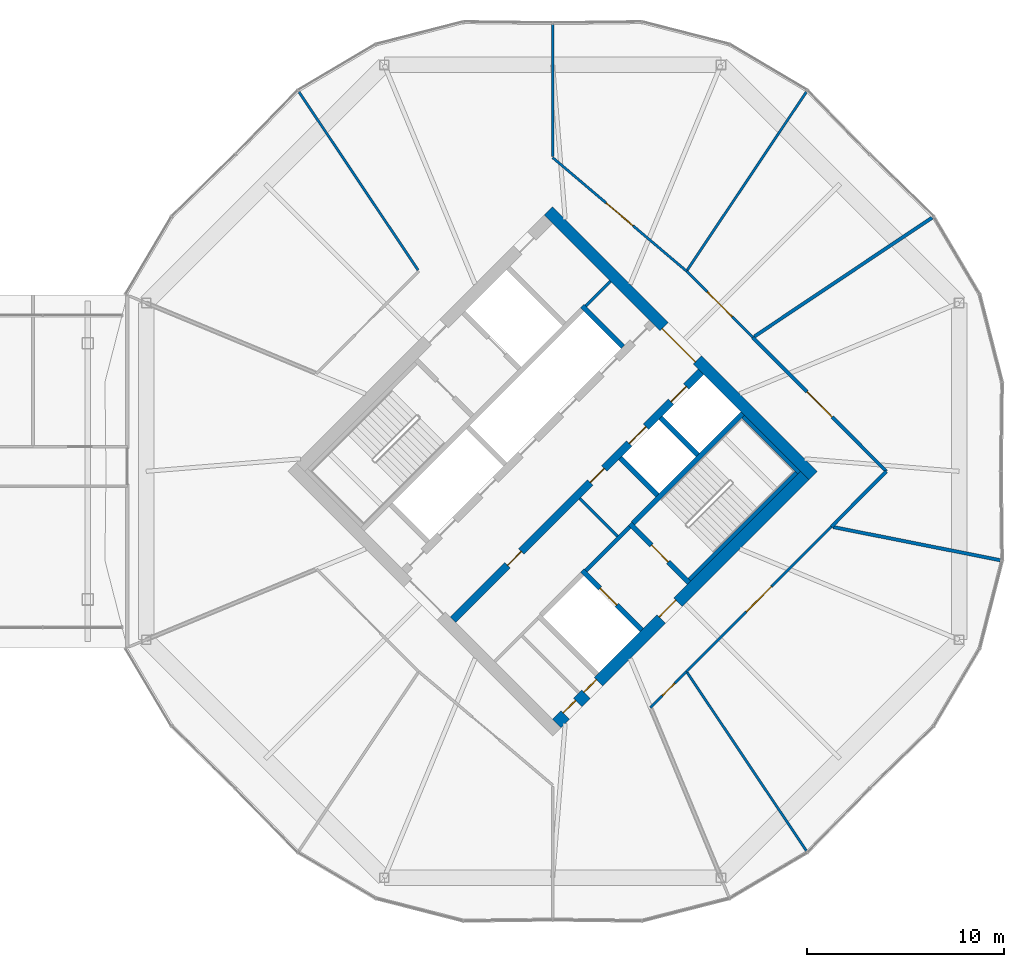
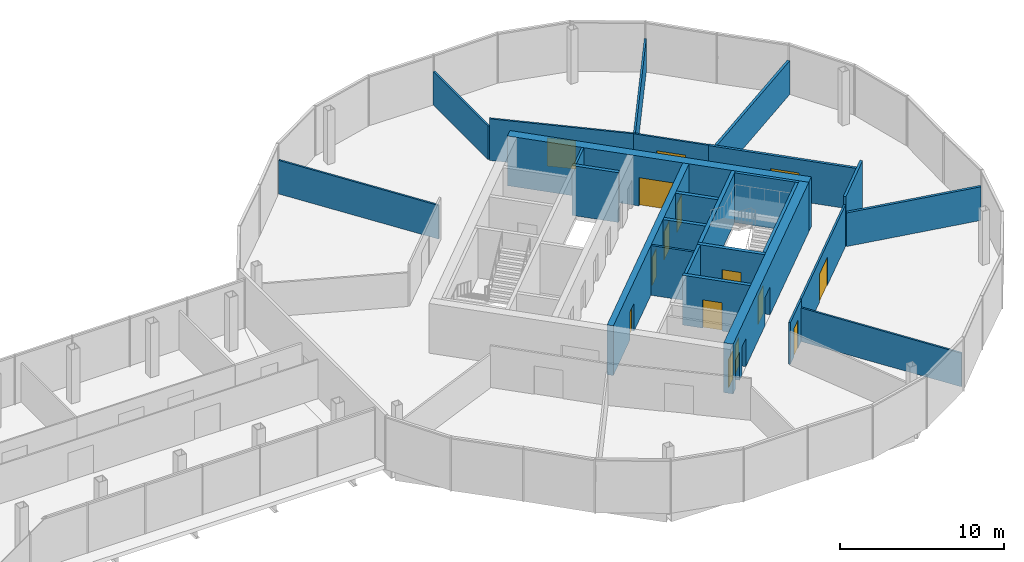
# One storey, part 23 of 25: 26 walls, 15 doors, 15 openings.
"""IFC4 building model written with IfcOpenShell, lengths in metres."""

import ifcopenshell
import ifcopenshell.guid

model = None  # the IFC model being written
_history = None  # IfcOwnerHistory: only IFC2X3 demands one
_inside = {}  # id of a spatial element -> (the spatial element, [elements in it])
_under = {}  # id of a project, library or spatial element -> (it, [spatial elements below it])
_declared = {}  # id of a project -> (the project, [libraries it declares])
_typed = {}  # id of a type object -> (the type object, [elements of that type])
_made_of = {}  # id of a material, layer set ... -> (it, [elements and type objects made of it])


def new_model(schema):
    """Start an empty IFC model of exactly this schema.

    Asked for "IFC4X3", IfcOpenShell would pick the latest addendum, in which some entities
    have other attributes; the version numbers below select the first issue.
    IFC2X3 requires an IfcOwnerHistory on every rooted entity: one is made here for all.
    """
    global model, _history
    if schema == "IFC4X3":
        model = ifcopenshell.file(schema_version=(4, 3, 0, 0))
    else:
        model = ifcopenshell.file(schema=schema)
    _inside.clear()
    _under.clear()
    _declared.clear()
    _typed.clear()
    _made_of.clear()
    _history = None
    if model.schema == "IFC2X3":
        org = make("IfcOrganization", Name="unknown")
        user = make(
            "IfcPersonAndOrganization",
            ThePerson=make("IfcPerson", FamilyName="unknown"),
            TheOrganization=org,
        )
        app = make(
            "IfcApplication",
            ApplicationDeveloper=org,
            Version="unknown",
            ApplicationFullName="unknown",
            ApplicationIdentifier="unknown",
        )
        _history = make(
            "IfcOwnerHistory",
            OwningUser=user,
            OwningApplication=app,
            ChangeAction="ADDED",
            CreationDate=0,
        )
    return model


def make(cls, **values):
    """One entity of the class cls with the attributes given. An attribute that is None is left unset."""
    return model.create_entity(
        cls, **{name: value for name, value in values.items() if value is not None}
    )


def rooted(cls, **values):
    """An entity with a GlobalId (a new one), such as an element, a storey or a relation."""
    return make(cls, GlobalId=ifcopenshell.guid.new(), OwnerHistory=_history, **values)


def si_unit(unit_type, name, prefix=None):
    """IfcSIUnit, for example si_unit("LENGTHUNIT", "METRE", prefix="MILLI")."""
    return make("IfcSIUnit", UnitType=unit_type, Prefix=prefix, Name=name)


def assignment(units):
    """IfcUnitAssignment: the units of a project."""
    return None if units is None else make("IfcUnitAssignment", Units=units)


def point(xyz):
    """IfcCartesianPoint."""
    return None if xyz is None else make("IfcCartesianPoint", Coordinates=xyz)


def direction(xyz):
    """IfcDirection."""
    return None if xyz is None else make("IfcDirection", DirectionRatios=xyz)


def frame(location, z_axis=None, x_axis=None):
    """IfcAxis2Placement3D, a coordinate frame: its origin and axes. An axis left out is left unset."""
    return make(
        "IfcAxis2Placement3D",
        Location=point(location),
        Axis=direction(z_axis),
        RefDirection=direction(x_axis),
    )


def frame_2d(location, x_axis=None):
    """IfcAxis2Placement2D, a coordinate frame in the plane: its origin and x axis."""
    return make(
        "IfcAxis2Placement2D", Location=point(location), RefDirection=direction(x_axis)
    )


def origin():
    """The frame at (0, 0, 0) with its axes left unset."""
    return frame((0.0, 0.0, 0.0))


def place(relative_to, where):
    """IfcLocalPlacement: puts the frame where relative to a parent placement (None: the world)."""
    return make(
        "IfcLocalPlacement", PlacementRelTo=relative_to, RelativePlacement=where
    )


def context(
    kind, dimensions, precision=None, world=None, true_north=None, identifier=None
):
    """IfcGeometricRepresentationContext, for example the 3D "Model" context."""
    return make(
        "IfcGeometricRepresentationContext",
        ContextIdentifier=identifier,
        ContextType=kind,
        CoordinateSpaceDimension=dimensions,
        Precision=precision,
        WorldCoordinateSystem=world,
        TrueNorth=true_north,
    )


def subcontext(parent, identifier, kind, view, scale=None):
    """IfcGeometricRepresentationSubContext, for example "Body" below "Model"."""
    return make(
        "IfcGeometricRepresentationSubContext",
        ContextIdentifier=identifier,
        ContextType=kind,
        ParentContext=parent,
        TargetScale=scale,
        TargetView=view,
    )


def project(units=None, contexts=None):
    """IfcProject with its units and contexts."""
    return rooted(
        "IfcProject",
        Name="project",
        RepresentationContexts=contexts,
        UnitsInContext=assignment(units),
    )


def spatial(cls, under=None, at=None, **own):
    """A site, building, storey or space (cls), placed at a placement, below another one or the project."""
    s = rooted(cls, ObjectPlacement=at, **own)
    if under is not None:
        _under.setdefault(under.id(), (under, []))[1].append(s)
    return s


def profile(cls, at=None, kind="AREA", **sizes):
    """A parametric profile (cls). Its sizes go by their IFC names, for example OverallWidth=200.0."""
    return make(cls, ProfileType=kind, Position=at, **sizes)


def rectangle(**sizes):
    """IfcRectangleProfileDef."""
    return profile("IfcRectangleProfileDef", **sizes)


def extrude(swept, where, along, depth):
    """IfcExtrudedAreaSolid: the profile swept, set in the frame where, extruded along a direction by depth."""
    return make(
        "IfcExtrudedAreaSolid",
        SweptArea=swept,
        Position=where,
        ExtrudedDirection=direction(along),
        Depth=depth,
    )


def shape(context_of_items, identifier, shape_type, items):
    """IfcShapeRepresentation: the items that make up one representation, for example the "Body"."""
    return make(
        "IfcShapeRepresentation",
        ContextOfItems=context_of_items,
        RepresentationIdentifier=identifier,
        RepresentationType=shape_type,
        Items=items,
    )


def material(Name=None, Category=None):
    """IfcMaterial."""
    return make("IfcMaterial", Name=Name, Category=Category)


def layer(
    of_material, thickness, ventilated=None, Name=None, Category=None, Priority=None
):
    """IfcMaterialLayer: one layer of a wall or slab, of a material (None: an air gap)."""
    return make(
        "IfcMaterialLayer",
        Material=of_material,
        LayerThickness=thickness,
        IsVentilated=ventilated,
        Name=Name,
        Category=Category,
        Priority=Priority,
    )


def layer_set(layers, Name=None):
    """IfcMaterialLayerSet."""
    return make("IfcMaterialLayerSet", MaterialLayers=layers, LayerSetName=Name)


def made_of(thing, what):
    """Note that an element or type object is made of a material, layer set ...; save() writes the relation."""
    if what is not None:
        _made_of.setdefault(what.id(), (what, []))[1].append(thing)
    return thing


def type_object(cls, material=None, **own):
    """A type object (cls), such as IfcWallType, which elements share."""
    return made_of(rooted(cls, **own), material)


def element(
    cls,
    number,
    at=None,
    inside=None,
    cuts=None,
    type_object=None,
    material=None,
    context=None,
    identifier="Body",
    shape_type=None,
    held_by="IfcProductDefinitionShape",
    body=None,
    shapes=None,
    **own,
):
    """One element of the class cls, such as IfcWall. Its Tag is "e" and its number.

    at: its placement. inside: the storey or other place that contains it. cuts: it is an
    opening in that element (IfcRelVoidsElement). A single representation is given by context,
    identifier, shape_type and body (its items); several are given by shapes. held_by: the class
    of the entity that holds the representations. save() writes the other relations.
    """
    e = rooted(cls, Tag="e%d" % number, ObjectPlacement=at, **own)
    if body is not None:
        shapes = [shape(context, identifier, shape_type, body)]
    if shapes is not None:
        e.Representation = make(held_by, Representations=shapes)
    if inside is not None:
        _inside.setdefault(inside.id(), (inside, []))[1].append(e)
    if cuts is not None:
        rooted(
            "IfcRelVoidsElement", RelatingBuildingElement=cuts, RelatedOpeningElement=e
        )
    if type_object is not None:
        _typed.setdefault(type_object.id(), (type_object, []))[1].append(e)
    return made_of(e, material)


def fill(opening, filler):
    """IfcRelFillsElement: the door or window that sits in an opening."""
    return rooted(
        "IfcRelFillsElement",
        RelatingOpeningElement=opening,
        RelatedBuildingElement=filler,
    )


def aggregate(whole, parts):
    """IfcRelAggregates: a whole, such as a stair, and the parts it consists of."""
    return rooted("IfcRelAggregates", RelatingObject=whole, RelatedObjects=parts)


def save(model, path):
    """Write the relations noted so far, then the file.

    IfcRelAggregates (storeys below a building ...), IfcRelContainedInSpatialStructure (elements
    in a storey), IfcRelDefinesByType, IfcRelAssociatesMaterial and IfcRelDeclares: one each for
    every whole, place, type object, material and project.
    """
    for whole, parts in _under.values():
        aggregate(whole, parts)
    for where, things in _inside.values():
        rooted(
            "IfcRelContainedInSpatialStructure",
            RelatedElements=things,
            RelatingStructure=where,
        )
    for kind, things in _typed.values():
        rooted("IfcRelDefinesByType", RelatedObjects=things, RelatingType=kind)
    for what, things in _made_of.values():
        rooted("IfcRelAssociatesMaterial", RelatedObjects=things, RelatingMaterial=what)
    for by, libraries in _declared.values():
        rooted("IfcRelDeclares", RelatingContext=by, RelatedDefinitions=libraries)
    model.write(path)


model = new_model("IFC4")

# Units and contexts
model_context = context("Model", 3, precision=1e-05, world=origin(), true_north=direction((0.0, 1.0)))
body_context = subcontext(model_context, "Body", "Model", "MODEL_VIEW")
ifc_project = project(units=[si_unit("LENGTHUNIT", "METRE"), si_unit("AREAUNIT", "SQUARE_METRE"), si_unit("VOLUMEUNIT", "CUBIC_METRE"), si_unit("PLANEANGLEUNIT", "RADIAN"), si_unit("MASSUNIT", "GRAM", prefix="KILO")], contexts=[model_context])

# Site, building, storey
site_placement = place(None, origin())
site = spatial("IfcSite", under=ifc_project, at=site_placement, CompositionType="ELEMENT")
building_placement = place(site_placement, origin())
building = spatial("IfcBuilding", under=site, at=building_placement, Name="Ogive Gate Towers", CompositionType="ELEMENT")
storey_placement = place(building_placement, frame((0.0, 0.0, 140.800048828125)))
storey = spatial("IfcBuildingStorey", under=building, at=storey_placement, Name="L33", CompositionType="ELEMENT", Elevation=140.800048828125)

# Walls
ifc_material_1 = material(Name="Gypsum board acoustic partition")
ifc_layer_1 = layer(ifc_material_1, 0.175048828125)
ifc_layer_set_1 = layer_set([ifc_layer_1], Name="Acoustic partition 175")
wall_type_1 = type_object("IfcWallType", Name="Acoustic partition 175", PredefinedType="PARTITIONING", material=ifc_layer_set_1)
wall_1_placement = place(storey_placement, frame((55.268798828125, 12.88427734375, 0.0), z_axis=(0.0, 0.0, 1.0), x_axis=(-0.831285269751, -0.555846022109, 0.0)))
element("IfcWall", 1, at=wall_1_placement, inside=storey, type_object=wall_type_1, Name="Partition T2-L33-001", PredefinedType="PARTITIONING", context=body_context, shape_type="SweptSolid", body=[
    extrude(rectangle(XDim=10.861572265625, YDim=0.175048828125, at=frame_2d((5.4306640625, 0.0))), origin(), (0.0, 0.0, 1.0), 2.5),
])
wall_2_placement = place(storey_placement, frame((58.735595703125, -4.514404296875, 0.0), z_axis=(0.0, 0.0, 1.0), x_axis=(-0.980853998652, 0.194744533499, 0.0)))
element("IfcWall", 2, at=wall_2_placement, inside=storey, type_object=wall_type_1, Name="Partition T2-L33-011", PredefinedType="PARTITIONING", context=body_context, shape_type="SweptSolid", body=[
    extrude(rectangle(XDim=8.661376953125, YDim=0.175048828125, at=frame_2d((4.33056640625, 0.0))), origin(), (0.0, 0.0, 1.0), 2.5),
])

# Wall, opening, door
wall_3_placement = place(storey_placement, frame((52.9423828125, 0.0, 0.0), z_axis=(0.0, 0.0, 1.0), x_axis=(-0.705910260964, 0.708301280153, 0.0)))
wall_3 = element("IfcWall", 3, at=wall_3_placement, inside=storey, type_object=wall_type_1, Name="Partition T2-L33-016", PredefinedType="PARTITIONING", context=body_context, shape_type="SweptSolid", body=[
    extrude(rectangle(XDim=9.59814453125, YDim=0.175048828125, at=frame_2d((4.799072265625, 0.0))), origin(), (0.0, 0.0, 1.0), 3.099853515625),
])
opening_1_placement = place(wall_3_placement, frame((3.89892578125, 0.0, 0.0)))
opening_1 = element("IfcOpeningElement", 4, at=opening_1_placement, cuts=wall_3, Name="Opening T2-L33-D05", PredefinedType="OPENING", context=body_context, shape_type="SweptSolid", body=[
    extrude(rectangle(XDim=1.800048828125, YDim=2.10009765625, at=frame_2d((0.89990234375, 1.050048828125))), frame((0.0, 0.09765625, 0.0), z_axis=(0.0, -1.0, 0.0), x_axis=(1.0, 0.0, 0.0)), (0.0, 0.0, 1.0), 0.195068359375),
])
ifc_material_2 = material(Name="Timber door", Category="wood")
door_type_1 = type_object("IfcDoorType", Name="Door pair 1800", OperationType="NOTDEFINED", PredefinedType="DOOR", material=ifc_material_2)
door_1_placement = place(opening_1_placement, origin())
door_1 = element("IfcDoor", 5, at=door_1_placement, inside=storey, type_object=door_type_1, Name="Door T2-L33-D05", OperationType="DOUBLE_DOOR_DOUBLE_SWING", OverallHeight=2.10009765625, OverallWidth=1.800048828125, PredefinedType="DOOR", context=body_context, shape_type="SweptSolid", body=[
    extrude(rectangle(XDim=1.800048828125, YDim=2.10009765625, at=frame_2d((0.89990234375, 1.050048828125))), frame((0.0, 0.02490234375, 0.0), z_axis=(0.0, -1.0, 0.0), x_axis=(1.0, 0.0, 0.0)), (0.0, 0.0, 1.0), 0.050048828125),
])
fill(opening_1, door_1)

# Walls
wall_4_placement = place(storey_placement, frame((50.154296875, -2.810546875, 0.0), z_axis=(0.0, 0.0, 1.0), x_axis=(0.704264299404, 0.709937882201, 0.0)))
element("IfcWall", 6, at=wall_4_placement, inside=storey, type_object=wall_type_1, Name="Partition T2-L33-017", PredefinedType="PARTITIONING", context=body_context, shape_type="SweptSolid", body=[
    extrude(rectangle(XDim=3.958984375, YDim=0.175048828125, at=frame_2d((1.9794921875, 0.0))), origin(), (0.0, 0.0, 1.0), 3.699951171875),
])
ifc_material_3 = material(Name="Masonry blockwork", Category="masonry")
ifc_layer_2 = layer(ifc_material_3, 0.199951171875)
ifc_layer_set_2 = layer_set([ifc_layer_2], Name="Blockwork wall 200 mm")
wall_type_2 = type_object("IfcWallType", Name="Blockwork wall 200 mm", PredefinedType="PARTITIONING", material=ifc_layer_set_2)
wall_5_placement = place(storey_placement, frame((37.679443359375, -5.0380859375, 0.0), z_axis=(0.0, 0.0, 1.0), x_axis=(0.707106781187, 0.707106781187, 0.0)))
element("IfcWall", 7, at=wall_5_placement, inside=storey, type_object=wall_type_2, Name="T2 L33 Blockwork wall 200 mm", PredefinedType="PARTITIONING", context=body_context, shape_type="SweptSolid", body=[
    extrude(rectangle(XDim=3.14990234375, YDim=0.199951171875, at=frame_2d((1.574951171875, 0.0))), origin(), (0.0, 0.0, 1.0), 3.699951171875),
])

# Wall, openings, doors
ifc_material_4 = material(Name="Concrete C60/75", Category="concrete")
ifc_layer_3 = layer(ifc_material_4, 0.60009765625)
ifc_layer_set_3 = layer_set([ifc_layer_3], Name="Core wall 600 mm")
wall_type_3 = type_object("IfcWallType", Name="Core wall 600 mm", PredefinedType="SHEAR", material=ifc_layer_set_3)
wall_6_placement = place(storey_placement, frame((36.212158203125, -12.798583984375, 0.0), z_axis=(0.0, 0.0, 1.0), x_axis=(0.707106781187, 0.707106781187, 0.0)))
wall_6 = element("IfcWall", 8, at=wall_6_placement, inside=storey, type_object=wall_type_3, Name="T2 L33 Core wall 600 mm", PredefinedType="SHEAR", context=body_context, shape_type="SweptSolid", body=[
    extrude(rectangle(XDim=17.7998046875, YDim=0.60009765625, at=frame_2d((8.89990234375, 0.0))), origin(), (0.0, 0.0, 1.0), 3.699951171875),
])
opening_2_placement = place(wall_6_placement, frame((7.5, 0.0, 0.0)))
opening_2 = element("IfcOpeningElement", 9, at=opening_2_placement, cuts=wall_6, Name="Opening KD-T2-L33-19", PredefinedType="OPENING", context=body_context, shape_type="SweptSolid", body=[
    extrude(rectangle(XDim=1.199951171875, YDim=2.10009765625, at=frame_2d((0.60009765625, 1.050048828125))), frame((0.0, 0.31005859375, 0.0), z_axis=(0.0, -1.0, 0.0), x_axis=(1.0, 0.0, 0.0)), (0.0, 0.0, 1.0), 0.6201171875),
])
opening_3_placement = place(wall_6_placement, frame((0.60009765625, 0.0, 0.0)))
opening_3 = element("IfcOpeningElement", 10, at=opening_3_placement, cuts=wall_6, Name="Opening KD-T2-L33-21", PredefinedType="OPENING", context=body_context, shape_type="SweptSolid", body=[
    extrude(rectangle(XDim=0.89990234375, YDim=2.10009765625, at=frame_2d((0.449951171875, 1.050048828125))), frame((0.0, 0.31005859375, 0.0), z_axis=(0.0, -1.0, 0.0), x_axis=(1.0, 0.0, 0.0)), (0.0, 0.0, 1.0), 0.6201171875),
])
opening_4_placement = place(wall_6_placement, frame((2.10009765625, 0.0, 0.0)))
opening_4 = element("IfcOpeningElement", 11, at=opening_4_placement, cuts=wall_6, Name="Opening KD-T2-L33-22", PredefinedType="OPENING", context=body_context, shape_type="SweptSolid", body=[
    extrude(rectangle(XDim=0.89990234375, YDim=2.10009765625, at=frame_2d((0.449951171875, 1.050048828125))), frame((0.0, 0.31005859375, 0.0), z_axis=(0.0, -1.0, 0.0), x_axis=(1.0, 0.0, 0.0)), (0.0, 0.0, 1.0), 0.6201171875),
])
door_type_2 = type_object("IfcDoorType", Name="Core WC door 900 x 2100", OperationType="NOTDEFINED", PredefinedType="DOOR", material=ifc_material_2)
door_2_placement = place(opening_3_placement, origin())
door_2 = element("IfcDoor", 12, at=door_2_placement, inside=storey, type_object=door_type_2, Name="T2 L33 Core door", OperationType="SINGLE_SWING_RIGHT", OverallHeight=2.10009765625, OverallWidth=0.89990234375, PredefinedType="DOOR", context=body_context, shape_type="SweptSolid", body=[
    extrude(rectangle(XDim=0.89990234375, YDim=2.10009765625, at=frame_2d((0.449951171875, 1.050048828125))), frame((0.0, 0.1748046875, 0.0), z_axis=(0.0, -1.0, 0.0), x_axis=(1.0, 0.0, 0.0)), (0.0, 0.0, 1.0), 0.050048828125),
])
fill(opening_3, door_2)
door_3_placement = place(opening_4_placement, origin())
door_3 = element("IfcDoor", 13, at=door_3_placement, inside=storey, type_object=door_type_2, Name="T2 L33 Core door", OperationType="SINGLE_SWING_LEFT", OverallHeight=2.10009765625, OverallWidth=0.89990234375, PredefinedType="DOOR", context=body_context, shape_type="SweptSolid", body=[
    extrude(rectangle(XDim=0.89990234375, YDim=2.10009765625, at=frame_2d((0.449951171875, 1.050048828125))), frame((0.0, 0.1748046875, 0.0), z_axis=(0.0, -1.0, 0.0), x_axis=(1.0, 0.0, 0.0)), (0.0, 0.0, 1.0), 0.050048828125),
])
fill(opening_4, door_3)
ifc_material_5 = material(Name="Steel fire door", Category="steel")
door_type_3 = type_object("IfcDoorType", Name="Core door FD60S 1200 x 2100", OperationType="NOTDEFINED", PredefinedType="DOOR", material=ifc_material_5)
door_4_placement = place(opening_2_placement, origin())
door_4 = element("IfcDoor", 14, at=door_4_placement, inside=storey, type_object=door_type_3, Name="T2 L33 Fire-fighting lobby door", OperationType="SINGLE_SWING_RIGHT", OverallHeight=2.10009765625, OverallWidth=1.199951171875, PredefinedType="DOOR", context=body_context, shape_type="SweptSolid", body=[
    extrude(rectangle(XDim=1.199951171875, YDim=2.10009765625, at=frame_2d((0.60009765625, 1.050048828125))), frame((0.0, 0.1748046875, 0.0), z_axis=(0.0, -1.0, 0.0), x_axis=(1.0, 0.0, 0.0)), (0.0, 0.0, 1.0), 0.050048828125),
])
fill(opening_2, door_4)

# Wall, opening, door
wall_7_placement = place(storey_placement, frame((49.222900390625, -0.212158203125, 0.0), z_axis=(0.0, 0.0, 1.0), x_axis=(-0.707106781187, 0.707106781187, 0.0)))
wall_7 = element("IfcWall", 15, at=wall_7_placement, inside=storey, type_object=wall_type_3, Name="T2 L33 Core wall 600 mm", PredefinedType="SHEAR", context=body_context, shape_type="SweptSolid", body=[
    extrude(rectangle(XDim=19.0, YDim=0.60009765625, at=frame_2d((9.5, 0.0))), origin(), (0.0, 0.0, 1.0), 3.699951171875),
])
opening_5_placement = place(wall_7_placement, frame((8.300048828125, 0.0, 0.0)))
opening_5 = element("IfcOpeningElement", 16, at=opening_5_placement, cuts=wall_7, Name="Opening KD-T2-L33-02", PredefinedType="OPENING", context=body_context, shape_type="SweptSolid", body=[
    extrude(rectangle(XDim=2.39990234375, YDim=2.10009765625, at=frame_2d((1.199951171875, 1.050048828125))), frame((0.0, 0.31005859375, 0.0), z_axis=(0.0, -1.0, 0.0), x_axis=(1.0, 0.0, 0.0)), (0.0, 0.0, 1.0), 0.6201171875),
])
door_type_4 = type_object("IfcDoorType", Name="Core double door FD60S 2400 x 2100", OperationType="DOUBLE_DOOR_SINGLE_SWING", PredefinedType="DOOR", material=ifc_material_5)
door_5_placement = place(opening_5_placement, origin())
door_5 = element("IfcDoor", 17, at=door_5_placement, inside=storey, type_object=door_type_4, Name="T2 L33 Core door double", OperationType="DOUBLE_DOOR_SINGLE_SWING", OverallHeight=2.10009765625, OverallWidth=2.39990234375, PredefinedType="DOOR", context=body_context, shape_type="SweptSolid", body=[
    extrude(rectangle(XDim=2.39990234375, YDim=2.10009765625, at=frame_2d((1.199951171875, 1.050048828125))), frame((0.0, 0.1748046875, 0.0), z_axis=(0.0, -1.0, 0.0), x_axis=(1.0, 0.0, 0.0)), (0.0, 0.0, 1.0), 0.050048828125),
])
fill(opening_5, door_5)

# Walls
ifc_material_6 = material(Name="Gypsum board partition")
ifc_layer_4 = layer(ifc_material_6, 0.125)
ifc_layer_set_4 = layer_set([ifc_layer_4], Name="Partition 125")
wall_type_4 = type_object("IfcWallType", Name="Partition 125", PredefinedType="PARTITIONING", material=ifc_layer_set_4)
wall_8_placement = place(storey_placement, frame((48.88427734375, 19.268798828125, 0.0), z_axis=(0.0, 0.0, 1.0), x_axis=(-0.55584856396, -0.831283570115, 0.0)))
element("IfcWall", 18, at=wall_8_placement, inside=storey, type_object=wall_type_4, Name="Partition T2-L33-002", PredefinedType="PARTITIONING", context=body_context, shape_type="SweptSolid", body=[
    extrude(rectangle(XDim=10.886474609375, YDim=0.125, at=frame_2d((5.443359375, 0.0))), origin(), (0.0, 0.0, 1.0), 2.5),
])
wall_9_placement = place(storey_placement, frame((36.0, 22.678955078125, 0.0), z_axis=(0.0, 0.0, 1.0), x_axis=(0.0, -1.0, 0.0)))
element("IfcWall", 19, at=wall_9_placement, inside=storey, type_object=wall_type_4, Name="Partition T2-L33-003", PredefinedType="PARTITIONING", context=body_context, shape_type="SweptSolid", body=[
    extrude(rectangle(XDim=6.6865234375, YDim=0.125, at=frame_2d((3.34326171875, 0.0))), origin(), (0.0, 0.0, 1.0), 2.5),
])
for number, where, z_axis, x_axis, name in (
    (20, (23.11572265625, 19.268798828125, 0.0), (0.0, 0.0, 1.0), (0.55584856396, -0.831283570115, 0.0), "Partition T2-L33-004"),
    (21, (48.88427734375, -19.268798828125, 0.0), (0.0, 0.0, 1.0), (-0.55584856396, 0.831283570115, 0.0), "Partition T2-L33-010"),
):
    element("IfcWall", number, at=place(storey_placement, frame(where, z_axis=z_axis, x_axis=x_axis)), inside=storey, type_object=wall_type_4, Name=name, PredefinedType="PARTITIONING", context=body_context, shape_type="SweptSolid", body=[
        extrude(rectangle(XDim=10.886474609375, YDim=0.125, at=frame_2d((5.443359375, 0.0))), origin(), (0.0, 0.0, 1.0), 2.5),
    ])

# Wall, opening, door
wall_10_placement = place(storey_placement, frame((40.967529296875, -11.992919921875, 0.0), z_axis=(0.0, 0.0, 1.0), x_axis=(0.708050343818, 0.706161957783, 0.0)))
wall_10 = element("IfcWall", 22, at=wall_10_placement, inside=storey, type_object=wall_type_4, Name="Partition T2-L33-014", PredefinedType="PARTITIONING", context=body_context, shape_type="SweptSolid", body=[
    extrude(rectangle(XDim=2.585693359375, YDim=0.125, at=frame_2d((1.29296875, 0.0))), origin(), (0.0, 0.0, 1.0), 3.099853515625),
])
opening_6_placement = place(wall_10_placement, frame((0.843017578125, 0.0, 0.0)))
opening_6 = element("IfcOpeningElement", 23, at=opening_6_placement, cuts=wall_10, Name="Opening T2-L33-D03", PredefinedType="OPENING", context=body_context, shape_type="SweptSolid", body=[
    extrude(rectangle(XDim=0.89990234375, YDim=2.10009765625, at=frame_2d((0.449951171875, 1.050048828125))), frame((0.0, 0.072509765625, 0.0), z_axis=(0.0, -1.0, 0.0), x_axis=(1.0, 0.0, 0.0)), (0.0, 0.0, 1.0), 0.14501953125),
])
door_type_5 = type_object("IfcDoorType", Name="Door 900", OperationType="NOTDEFINED", PredefinedType="DOOR", material=ifc_material_2)
door_6_placement = place(opening_6_placement, origin())
door_6 = element("IfcDoor", 24, at=door_6_placement, inside=storey, type_object=door_type_5, Name="Door T2-L33-D03", OperationType="SINGLE_SWING_LEFT", OverallHeight=2.10009765625, OverallWidth=0.89990234375, PredefinedType="DOOR", context=body_context, shape_type="SweptSolid", body=[
    extrude(rectangle(XDim=0.89990234375, YDim=2.10009765625, at=frame_2d((0.449951171875, 1.050048828125))), frame((0.0, 0.02490234375, 0.0), z_axis=(0.0, -1.0, 0.0), x_axis=(1.0, 0.0, 0.0)), (0.0, 0.0, 1.0), 0.050048828125),
])
fill(opening_6, door_6)

wall_11_placement = place(storey_placement, frame((42.79833984375, -10.1669921875, 0.0), z_axis=(0.0, 0.0, 1.0), x_axis=(0.707083313047, 0.707130248547, 0.0)))
wall_11 = element("IfcWall", 25, at=wall_11_placement, inside=storey, type_object=wall_type_4, Name="Partition T2-L33-015", PredefinedType="PARTITIONING", context=body_context, shape_type="SweptSolid", body=[
    extrude(rectangle(XDim=10.4033203125, YDim=0.125, at=frame_2d((5.20166015625, 0.0))), origin(), (0.0, 0.0, 1.0), 3.099853515625),
])
opening_7_placement = place(wall_11_placement, frame((4.302001953125, 0.0, 0.0)))
opening_7 = element("IfcOpeningElement", 26, at=opening_7_placement, cuts=wall_11, Name="Opening T2-L33-D04", PredefinedType="OPENING", context=body_context, shape_type="SweptSolid", body=[
    extrude(rectangle(XDim=1.800048828125, YDim=2.10009765625, at=frame_2d((0.89990234375, 1.050048828125))), frame((0.0, 0.072509765625, 0.0), z_axis=(0.0, -1.0, 0.0), x_axis=(1.0, 0.0, 0.0)), (0.0, 0.0, 1.0), 0.14501953125),
])
door_7_placement = place(opening_7_placement, origin())
door_7 = element("IfcDoor", 27, at=door_7_placement, inside=storey, type_object=door_type_1, Name="Door T2-L33-D04", OperationType="DOUBLE_DOOR_DOUBLE_SWING", OverallHeight=2.10009765625, OverallWidth=1.800048828125, PredefinedType="DOOR", context=body_context, shape_type="SweptSolid", body=[
    extrude(rectangle(XDim=1.800048828125, YDim=2.10009765625, at=frame_2d((0.89990234375, 1.050048828125))), frame((0.0, 0.02490234375, 0.0), z_axis=(0.0, -1.0, 0.0), x_axis=(1.0, 0.0, 0.0)), (0.0, 0.0, 1.0), 0.050048828125),
])
fill(opening_7, door_7)

wall_12_placement = place(storey_placement, frame((46.1669921875, 6.79833984375, 0.0), z_axis=(0.0, 0.0, 1.0), x_axis=(-0.707106781187, 0.707106781187, 0.0)))
wall_12 = element("IfcWall", 28, at=wall_12_placement, inside=storey, type_object=wall_type_4, Name="Partition T2-L33-018", PredefinedType="PARTITIONING", context=body_context, shape_type="SweptSolid", body=[
    extrude(rectangle(XDim=4.763916015625, YDim=0.125, at=frame_2d((2.3818359375, 0.0))), origin(), (0.0, 0.0, 1.0), 3.099853515625),
])
opening_8_placement = place(wall_12_placement, frame((1.48193359375, 0.0, 0.0)))
opening_8 = element("IfcOpeningElement", 29, at=opening_8_placement, cuts=wall_12, Name="Opening T2-L33-D06", PredefinedType="OPENING", context=body_context, shape_type="SweptSolid", body=[
    extrude(rectangle(XDim=1.800048828125, YDim=2.10009765625, at=frame_2d((0.89990234375, 1.050048828125))), frame((0.0, 0.072509765625, 0.0), z_axis=(0.0, -1.0, 0.0), x_axis=(1.0, 0.0, 0.0)), (0.0, 0.0, 1.0), 0.14501953125),
])
door_8_placement = place(opening_8_placement, origin())
door_8 = element("IfcDoor", 30, at=door_8_placement, inside=storey, type_object=door_type_1, Name="Door T2-L33-D06", OperationType="DOUBLE_DOOR_DOUBLE_SWING", OverallHeight=2.10009765625, OverallWidth=1.800048828125, PredefinedType="DOOR", context=body_context, shape_type="SweptSolid", body=[
    extrude(rectangle(XDim=1.800048828125, YDim=2.10009765625, at=frame_2d((0.89990234375, 1.050048828125))), frame((0.0, 0.02490234375, 0.0), z_axis=(0.0, -1.0, 0.0), x_axis=(1.0, 0.0, 0.0)), (0.0, 0.0, 1.0), 0.050048828125),
])
fill(opening_8, door_8)

wall_13_placement = place(storey_placement, frame((42.79833984375, 10.1669921875, 0.0), z_axis=(0.0, 0.0, 1.0), x_axis=(-0.76280513571, 0.646628428802, 0.0)))
wall_13 = element("IfcWall", 31, at=wall_13_placement, inside=storey, type_object=wall_type_4, Name="Partition T2-L33-019", PredefinedType="PARTITIONING", context=body_context, shape_type="SweptSolid", body=[
    extrude(rectangle(XDim=8.912353515625, YDim=0.125, at=frame_2d((4.4560546875, 0.0))), origin(), (0.0, 0.0, 1.0), 3.099853515625),
])
opening_9_placement = place(wall_13_placement, frame((3.555908203125, 0.0, 0.0)))
opening_9 = element("IfcOpeningElement", 32, at=opening_9_placement, cuts=wall_13, Name="Opening T2-L33-D07", PredefinedType="OPENING", context=body_context, shape_type="SweptSolid", body=[
    extrude(rectangle(XDim=1.800048828125, YDim=2.10009765625, at=frame_2d((0.89990234375, 1.050048828125))), frame((0.0, 0.072509765625, 0.0), z_axis=(0.0, -1.0, 0.0), x_axis=(1.0, 0.0, 0.0)), (0.0, 0.0, 1.0), 0.14501953125),
])
door_9_placement = place(opening_9_placement, origin())
door_9 = element("IfcDoor", 33, at=door_9_placement, inside=storey, type_object=door_type_1, Name="Door T2-L33-D07", OperationType="DOUBLE_DOOR_DOUBLE_SWING", OverallHeight=2.10009765625, OverallWidth=1.800048828125, PredefinedType="DOOR", context=body_context, shape_type="SweptSolid", body=[
    extrude(rectangle(XDim=1.800048828125, YDim=2.10009765625, at=frame_2d((0.89990234375, 1.050048828125))), frame((0.0, 0.02490234375, 0.0), z_axis=(0.0, -1.0, 0.0), x_axis=(1.0, 0.0, 0.0)), (0.0, 0.0, 1.0), 0.050048828125),
])
fill(opening_9, door_9)

# Walls
ifc_layer_5 = layer(ifc_material_6, 0.14990234375)
ifc_layer_set_5 = layer_set([ifc_layer_5], Name="Room partition 150 mm")
wall_type_5 = type_object("IfcWallType", Name="Room partition 150 mm", PredefinedType="PARTITIONING", material=ifc_layer_set_5)
wall_14_placement = place(storey_placement, frame((37.679443359375, 8.39697265625, 0.0), z_axis=(0.0, 0.0, 1.0), x_axis=(0.707106781187, 0.707106781187, 0.0)))
element("IfcWall", 34, at=wall_14_placement, inside=storey, type_object=wall_type_5, Name="T2 L33 Room partition 150 mm", PredefinedType="PARTITIONING", context=body_context, shape_type="SweptSolid", body=[
    extrude(rectangle(XDim=1.77490234375, YDim=0.14990234375, at=frame_2d((0.887451171875, 0.0))), origin(), (0.0, 0.0, 1.0), 3.699951171875),
])
wall_15_placement = place(storey_placement, frame((39.2880859375, -3.2880859375, 0.0), z_axis=(0.0, 0.0, 1.0), x_axis=(-0.707106781187, 0.707106781187, 0.0)))
element("IfcWall", 35, at=wall_15_placement, inside=storey, type_object=wall_type_5, Name="T2 L33 Room partition 150 mm", PredefinedType="PARTITIONING", context=body_context, shape_type="SweptSolid", body=[
    extrude(rectangle(XDim=2.699951171875, YDim=0.14990234375, at=frame_2d((1.35009765625, 0.0))), origin(), (0.0, 0.0, 1.0), 3.699951171875),
])
ifc_layer_6 = layer(ifc_material_4, 0.25)
ifc_layer_set_6 = layer_set([ifc_layer_6], Name="Shaft wall 250 mm")
wall_type_6 = type_object("IfcWallType", Name="Shaft wall 250 mm", PredefinedType="SHEAR", material=ifc_layer_set_6)
wall_16_placement = place(storey_placement, frame((40.08349609375, -2.634033203125, 0.0), z_axis=(0.0, 0.0, 1.0), x_axis=(0.707106781187, 0.707106781187, 0.0)))
element("IfcWall", 36, at=wall_16_placement, inside=storey, type_object=wall_type_6, Name="T2 L33 Shaft wall 250 mm", PredefinedType="SHEAR", context=body_context, shape_type="SweptSolid", body=[
    extrude(rectangle(XDim=7.875244140625, YDim=0.25, at=frame_2d((3.9375, 0.0))), origin(), (0.0, 0.0, 1.0), 3.699951171875),
])

# Wall, opening, door
wall_17_placement = place(storey_placement, frame((40.525390625, -8.06103515625, 0.0), z_axis=(0.0, 0.0, 1.0), x_axis=(-0.707078225638, 0.707135335582, 0.0)))
wall_17 = element("IfcWall", 37, at=wall_17_placement, inside=storey, type_object=wall_type_6, Name="T2 L33 Shaft wall 250 mm", PredefinedType="SHEAR", context=body_context, shape_type="SweptSolid", body=[
    extrude(rectangle(XDim=4.27490234375, YDim=0.25, at=frame_2d((2.137451171875, 0.0))), origin(), (0.0, 0.0, 1.0), 3.699951171875),
])
opening_10_placement = place(wall_17_placement, frame((1.800048828125, 0.0, 0.0)))
opening_10 = element("IfcOpeningElement", 38, at=opening_10_placement, cuts=wall_17, Name="Opening LD-T2-L33-13", PredefinedType="OPENING", context=body_context, shape_type="SweptSolid", body=[
    extrude(rectangle(XDim=1.199951171875, YDim=2.10009765625, at=frame_2d((0.60009765625, 1.050048828125))), frame((0.0, 0.135009765625, 0.0), z_axis=(0.0, -1.0, 0.0), x_axis=(1.0, 0.0, 0.0)), (0.0, 0.0, 1.0), 0.27001953125),
])
ifc_material_7 = material(Name="Stainless steel landing door", Category="steel")
door_type_6 = type_object("IfcDoorType", Name="Landing door 1200 x 2100", OperationType="SLIDING_TO_LEFT", PredefinedType="DOOR", material=ifc_material_7)
door_10_placement = place(opening_10_placement, origin())
door_10 = element("IfcDoor", 39, at=door_10_placement, inside=storey, type_object=door_type_6, Name="T2 L33 Lift landing door FF2", OperationType="SLIDING_TO_LEFT", OverallHeight=2.10009765625, OverallWidth=1.199951171875, PredefinedType="DOOR", context=body_context, shape_type="SweptSolid", body=[
    extrude(rectangle(XDim=1.199951171875, YDim=2.10009765625, at=frame_2d((0.60009765625, 1.050048828125))), frame((0.0, 0.02490234375, 0.0), z_axis=(0.0, -1.0, 0.0), x_axis=(1.0, 0.0, 0.0)), (0.0, 0.0, 1.0), 0.050048828125),
])
fill(opening_10, door_10)

wall_18_placement = place(storey_placement, frame((42.9296875, -5.656982421875, 0.0), z_axis=(0.0, 0.0, 1.0), x_axis=(-0.707106781187, 0.707106781187, 0.0)))
wall_18 = element("IfcWall", 40, at=wall_18_placement, inside=storey, type_object=wall_type_6, Name="T2 L33 Shaft wall 250 mm", PredefinedType="SHEAR", context=body_context, shape_type="SweptSolid", body=[
    extrude(rectangle(XDim=4.250244140625, YDim=0.25, at=frame_2d((2.125, 0.0))), origin(), (0.0, 0.0, 1.0), 3.699951171875),
])
opening_11_placement = place(wall_18_placement, frame((1.5, 0.0, 0.0)))
opening_11 = element("IfcOpeningElement", 41, at=opening_11_placement, cuts=wall_18, Name="Opening KD-T2-L33-17", PredefinedType="OPENING", context=body_context, shape_type="SweptSolid", body=[
    extrude(rectangle(XDim=1.199951171875, YDim=2.10009765625, at=frame_2d((0.60009765625, 1.050048828125))), frame((0.0, 0.135009765625, 0.0), z_axis=(0.0, -1.0, 0.0), x_axis=(1.0, 0.0, 0.0)), (0.0, 0.0, 1.0), 0.27001953125),
])
door_11_placement = place(opening_11_placement, origin())
door_11 = element("IfcDoor", 42, at=door_11_placement, inside=storey, type_object=door_type_3, Name="T2 L33 Stair door", OperationType="SINGLE_SWING_RIGHT", OverallHeight=2.10009765625, OverallWidth=1.199951171875, PredefinedType="DOOR", context=body_context, shape_type="SweptSolid", body=[
    extrude(rectangle(XDim=1.199951171875, YDim=2.10009765625, at=frame_2d((0.60009765625, 1.050048828125))), frame((0.0, 0.02490234375, 0.0), z_axis=(0.0, -1.0, 0.0), x_axis=(1.0, 0.0, 0.0)), (0.0, 0.0, 1.0), 0.050048828125),
])
fill(opening_11, door_11)

# Walls
for number, where, z_axis, x_axis, name in (
    (43, (41.321044921875, -1.2197265625, 0.0), (0.0, 0.0, 1.0), (-0.707106781187, 0.707106781187, 0.0), "T2 L33 Shaft wall 250 mm"),
    (44, (43.37158203125, 0.830810546875, 0.0), (0.0, 0.0, 1.0), (-0.707106781187, 0.707106781187, 0.0), "T2 L33 Shaft wall 250 mm"),
):
    element("IfcWall", number, at=place(storey_placement, frame(where, z_axis=z_axis, x_axis=x_axis)), inside=storey, type_object=wall_type_6, Name=name, PredefinedType="SHEAR", context=body_context, shape_type="SweptSolid", body=[
        extrude(rectangle(XDim=2.675048828125, YDim=0.25, at=frame_2d((1.33740234375, 0.0))), origin(), (0.0, 0.0, 1.0), 3.699951171875),
    ])
wall_19_placement = place(storey_placement, frame((39.57080078125, 6.32861328125, 0.0), z_axis=(0.0, 0.0, 1.0), x_axis=(-0.707065045505, 0.707148514405, 0.0)))
element("IfcWall", 45, at=wall_19_placement, inside=storey, type_object=wall_type_6, Name="T2 L33 Shaft wall 250 mm", PredefinedType="SHEAR", context=body_context, shape_type="SweptSolid", body=[
    extrude(rectangle(XDim=2.925048828125, YDim=0.25, at=frame_2d((1.46240234375, 0.0))), origin(), (0.0, 0.0, 1.0), 3.699951171875),
])

# Wall, openings, doors
ifc_layer_7 = layer(ifc_material_4, 0.39990234375)
ifc_layer_set_7 = layer_set([ifc_layer_7], Name="Spine wall 400 mm")
wall_type_7 = type_object("IfcWallType", Name="Spine wall 400 mm", PredefinedType="SHEAR", material=ifc_layer_set_7)
wall_20_placement = place(storey_placement, frame((30.944091796875, -7.53076171875, 0.0), z_axis=(0.0, 0.0, 1.0), x_axis=(0.707106781187, 0.707106781187, 0.0)))
wall_20 = element("IfcWall", 46, at=wall_20_placement, inside=storey, type_object=wall_type_7, Name="T2 L33 Spine wall 400 mm", PredefinedType="SHEAR", context=body_context, shape_type="SweptSolid", body=[
    extrude(rectangle(XDim=17.80029296875, YDim=0.39990234375, at=frame_2d((8.900146484375, 0.0))), origin(), (0.0, 0.0, 1.0), 3.699951171875),
])
opening_12_placement = place(wall_20_placement, frame((12.64990234375, 0.0, 0.0)))
opening_12 = element("IfcOpeningElement", 47, at=opening_12_placement, cuts=wall_20, Name="Opening LD-T2-L33-10", PredefinedType="OPENING", context=body_context, shape_type="SweptSolid", body=[
    extrude(rectangle(XDim=1.199951171875, YDim=2.10009765625, at=frame_2d((0.60009765625, 1.050048828125))), frame((0.0, 0.2099609375, 0.0), z_axis=(0.0, -1.0, 0.0), x_axis=(1.0, 0.0, 0.0)), (0.0, 0.0, 1.0), 0.419921875),
])
opening_13_placement = place(wall_20_placement, frame((15.64990234375, 0.0, 0.0)))
opening_13 = element("IfcOpeningElement", 48, at=opening_13_placement, cuts=wall_20, Name="Opening LD-T2-L33-11", PredefinedType="OPENING", context=body_context, shape_type="SweptSolid", body=[
    extrude(rectangle(XDim=1.10009765625, YDim=2.10009765625, at=frame_2d((0.550048828125, 1.050048828125))), frame((0.0, 0.2099609375, 0.0), z_axis=(0.0, -1.0, 0.0), x_axis=(1.0, 0.0, 0.0)), (0.0, 0.0, 1.0), 0.419921875),
])
opening_14_placement = place(wall_20_placement, frame((3.89990234375, 0.0, 0.0)))
opening_14 = element("IfcOpeningElement", 49, at=opening_14_placement, cuts=wall_20, Name="Opening KD-T2-L33-14", PredefinedType="OPENING", context=body_context, shape_type="SweptSolid", body=[
    extrude(rectangle(XDim=1.0, YDim=2.10009765625, at=frame_2d((0.5, 1.050048828125))), frame((0.0, 0.2099609375, 0.0), z_axis=(0.0, -1.0, 0.0), x_axis=(1.0, 0.0, 0.0)), (0.0, 0.0, 1.0), 0.419921875),
])
opening_15_placement = place(wall_20_placement, frame((9.85009765625, 0.0, 0.0)))
opening_15 = element("IfcOpeningElement", 50, at=opening_15_placement, cuts=wall_20, Name="Opening KD-T2-L33-15", PredefinedType="OPENING", context=body_context, shape_type="SweptSolid", body=[
    extrude(rectangle(XDim=1.0, YDim=2.10009765625, at=frame_2d((0.5, 1.050048828125))), frame((0.0, 0.2099609375, 0.0), z_axis=(0.0, -1.0, 0.0), x_axis=(1.0, 0.0, 0.0)), (0.0, 0.0, 1.0), 0.419921875),
])
door_type_7 = type_object("IfcDoorType", Name="Core door FD60S 1000 x 2100", OperationType="NOTDEFINED", PredefinedType="DOOR", material=ifc_material_5)
door_12_placement = place(opening_14_placement, origin())
door_12 = element("IfcDoor", 51, at=door_12_placement, inside=storey, type_object=door_type_7, Name="T2 L33 Core door", OperationType="SINGLE_SWING_LEFT", OverallHeight=2.10009765625, OverallWidth=1.0, PredefinedType="DOOR", context=body_context, shape_type="SweptSolid", body=[
    extrude(rectangle(XDim=1.0, YDim=2.10009765625, at=frame_2d((0.5, 1.050048828125))), frame((0.0, 0.02490234375, 0.0), z_axis=(0.0, -1.0, 0.0), x_axis=(1.0, 0.0, 0.0)), (0.0, 0.0, 1.0), 0.050048828125),
])
fill(opening_14, door_12)
door_13_placement = place(opening_15_placement, origin())
door_13 = element("IfcDoor", 52, at=door_13_placement, inside=storey, type_object=door_type_7, Name="T2 L33 Core door", OperationType="SINGLE_SWING_RIGHT", OverallHeight=2.10009765625, OverallWidth=1.0, PredefinedType="DOOR", context=body_context, shape_type="SweptSolid", body=[
    extrude(rectangle(XDim=1.0, YDim=2.10009765625, at=frame_2d((0.5, 1.050048828125))), frame((0.0, 0.02490234375, 0.0), z_axis=(0.0, -1.0, 0.0), x_axis=(1.0, 0.0, 0.0)), (0.0, 0.0, 1.0), 0.050048828125),
])
fill(opening_15, door_13)
door_type_8 = type_object("IfcDoorType", Name="Landing door 1100 x 2100", OperationType="SLIDING_TO_LEFT", PredefinedType="DOOR", material=ifc_material_7)
door_14_placement = place(opening_13_placement, origin())
door_14 = element("IfcDoor", 53, at=door_14_placement, inside=storey, type_object=door_type_8, Name="T2 L33 Lift landing door B6", OperationType="SLIDING_TO_LEFT", OverallHeight=2.10009765625, OverallWidth=1.10009765625, PredefinedType="DOOR", context=body_context, shape_type="SweptSolid", body=[
    extrude(rectangle(XDim=1.10009765625, YDim=2.10009765625, at=frame_2d((0.550048828125, 1.050048828125))), frame((0.0, 0.02490234375, 0.0), z_axis=(0.0, -1.0, 0.0), x_axis=(1.0, 0.0, 0.0)), (0.0, 0.0, 1.0), 0.050048828125),
])
fill(opening_13, door_14)
door_15_placement = place(opening_12_placement, origin())
door_15 = element("IfcDoor", 54, at=door_15_placement, inside=storey, type_object=door_type_6, Name="T2 L33 Lift landing door SVC", OperationType="SLIDING_TO_LEFT", OverallHeight=2.10009765625, OverallWidth=1.199951171875, PredefinedType="DOOR", context=body_context, shape_type="SweptSolid", body=[
    extrude(rectangle(XDim=1.199951171875, YDim=2.10009765625, at=frame_2d((0.60009765625, 1.050048828125))), frame((0.0, 0.02490234375, 0.0), z_axis=(0.0, -1.0, 0.0), x_axis=(1.0, 0.0, 0.0)), (0.0, 0.0, 1.0), 0.050048828125),
])
fill(opening_12, door_15)

# Walls
ifc_layer_8 = layer(ifc_material_4, 0.199951171875)
ifc_layer_set_8 = layer_set([ifc_layer_8], Name="Stair wall 200 mm")
wall_type_8 = type_object("IfcWallType", Name="Stair wall 200 mm", PredefinedType="SHEAR", material=ifc_layer_set_8)
wall_21_placement = place(storey_placement, frame((42.947265625, -5.497802734375, 0.0), z_axis=(0.0, 0.0, 1.0), x_axis=(0.707122685701, 0.707090876314, 0.0)))
element("IfcWall", 55, at=wall_21_placement, inside=storey, type_object=wall_type_8, Name="T2 L33 Stair wall 200 mm", PredefinedType="SHEAR", context=body_context, shape_type="SweptSolid", body=[
    extrude(rectangle(XDim=7.675048828125, YDim=0.199951171875, at=frame_2d((3.83740234375, 0.0))), origin(), (0.0, 0.0, 1.0), 3.699951171875),
])
wall_22_placement = place(storey_placement, frame((48.515869140625, -0.07080078125, 0.0), z_axis=(0.0, 0.0, 1.0), x_axis=(-0.707106781187, 0.707106781187, 0.0)))
element("IfcWall", 56, at=wall_22_placement, inside=storey, type_object=wall_type_8, Name="T2 L33 Stair wall 200 mm", PredefinedType="SHEAR", context=body_context, shape_type="SweptSolid", body=[
    extrude(rectangle(XDim=4.025146484375, YDim=0.199951171875, at=frame_2d((2.0126953125, 0.0))), origin(), (0.0, 0.0, 1.0), 3.699951171875),
])

save(model, "model.ifc")
